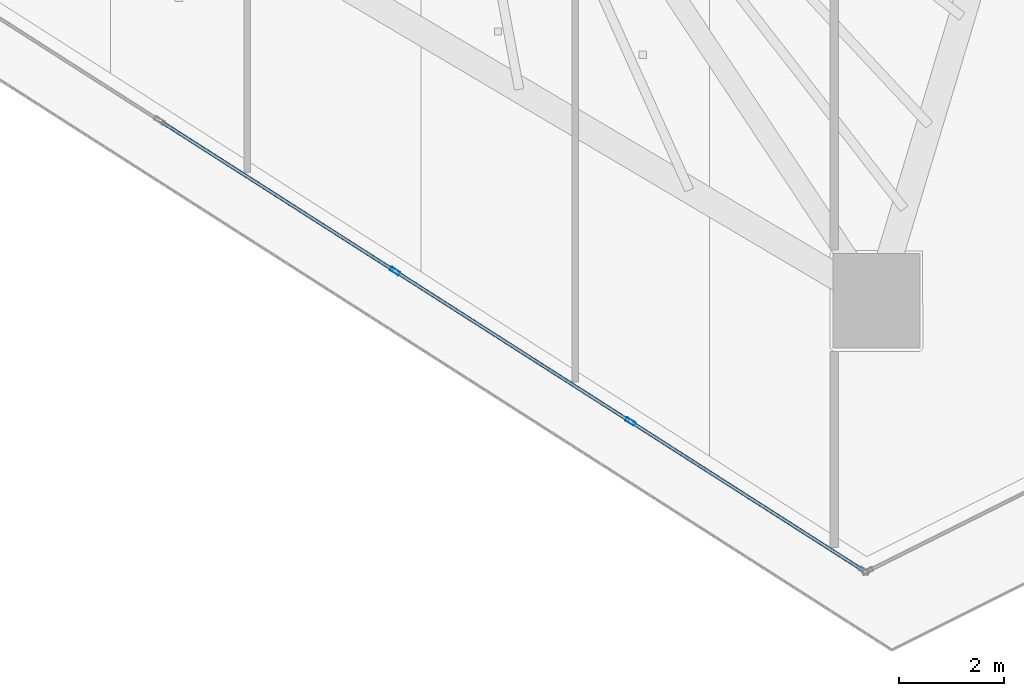
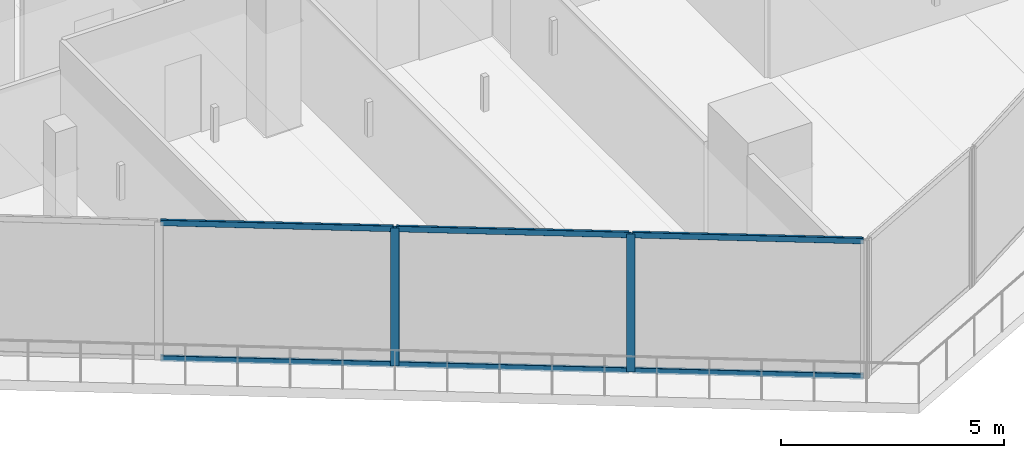
# One storey, part 3 of 36: 8 members, 1 element without a shape of its own.
"""IFC4 building model written with IfcOpenShell, lengths in metres."""

import ifcopenshell
import ifcopenshell.guid

model = None  # the IFC model being written
_history = None  # IfcOwnerHistory: only IFC2X3 demands one
_inside = {}  # id of a spatial element -> (the spatial element, [elements in it])
_under = {}  # id of a project, library or spatial element -> (it, [spatial elements below it])
_declared = {}  # id of a project -> (the project, [libraries it declares])
_typed = {}  # id of a type object -> (the type object, [elements of that type])
_made_of = {}  # id of a material, layer set ... -> (it, [elements and type objects made of it])


def new_model(schema):
    """Start an empty IFC model of exactly this schema.

    Asked for "IFC4X3", IfcOpenShell would pick the latest addendum, in which some entities
    have other attributes; the version numbers below select the first issue.
    IFC2X3 requires an IfcOwnerHistory on every rooted entity: one is made here for all.
    """
    global model, _history
    if schema == "IFC4X3":
        model = ifcopenshell.file(schema_version=(4, 3, 0, 0))
    else:
        model = ifcopenshell.file(schema=schema)
    _inside.clear()
    _under.clear()
    _declared.clear()
    _typed.clear()
    _made_of.clear()
    _history = None
    if model.schema == "IFC2X3":
        org = make("IfcOrganization", Name="unknown")
        user = make(
            "IfcPersonAndOrganization",
            ThePerson=make("IfcPerson", FamilyName="unknown"),
            TheOrganization=org,
        )
        app = make(
            "IfcApplication",
            ApplicationDeveloper=org,
            Version="unknown",
            ApplicationFullName="unknown",
            ApplicationIdentifier="unknown",
        )
        _history = make(
            "IfcOwnerHistory",
            OwningUser=user,
            OwningApplication=app,
            ChangeAction="ADDED",
            CreationDate=0,
        )
    return model


def make(cls, **values):
    """One entity of the class cls with the attributes given. An attribute that is None is left unset."""
    return model.create_entity(
        cls, **{name: value for name, value in values.items() if value is not None}
    )


def rooted(cls, **values):
    """An entity with a GlobalId (a new one), such as an element, a storey or a relation."""
    return make(cls, GlobalId=ifcopenshell.guid.new(), OwnerHistory=_history, **values)


def si_unit(unit_type, name, prefix=None):
    """IfcSIUnit, for example si_unit("LENGTHUNIT", "METRE", prefix="MILLI")."""
    return make("IfcSIUnit", UnitType=unit_type, Prefix=prefix, Name=name)


def assignment(units):
    """IfcUnitAssignment: the units of a project."""
    return None if units is None else make("IfcUnitAssignment", Units=units)


def point(xyz):
    """IfcCartesianPoint."""
    return None if xyz is None else make("IfcCartesianPoint", Coordinates=xyz)


def direction(xyz):
    """IfcDirection."""
    return None if xyz is None else make("IfcDirection", DirectionRatios=xyz)


def frame(location, z_axis=None, x_axis=None):
    """IfcAxis2Placement3D, a coordinate frame: its origin and axes. An axis left out is left unset."""
    return make(
        "IfcAxis2Placement3D",
        Location=point(location),
        Axis=direction(z_axis),
        RefDirection=direction(x_axis),
    )


def frame_2d(location, x_axis=None):
    """IfcAxis2Placement2D, a coordinate frame in the plane: its origin and x axis."""
    return make(
        "IfcAxis2Placement2D", Location=point(location), RefDirection=direction(x_axis)
    )


def origin():
    """The frame at (0, 0, 0) with its axes left unset."""
    return frame((0.0, 0.0, 0.0))


def origin_2d():
    """The frame at (0, 0) in the plane with its x axis left unset."""
    return frame_2d((0.0, 0.0))


def place(relative_to, where):
    """IfcLocalPlacement: puts the frame where relative to a parent placement (None: the world)."""
    return make(
        "IfcLocalPlacement", PlacementRelTo=relative_to, RelativePlacement=where
    )


def context(
    kind, dimensions, precision=None, world=None, true_north=None, identifier=None
):
    """IfcGeometricRepresentationContext, for example the 3D "Model" context."""
    return make(
        "IfcGeometricRepresentationContext",
        ContextIdentifier=identifier,
        ContextType=kind,
        CoordinateSpaceDimension=dimensions,
        Precision=precision,
        WorldCoordinateSystem=world,
        TrueNorth=true_north,
    )


def subcontext(parent, identifier, kind, view, scale=None):
    """IfcGeometricRepresentationSubContext, for example "Body" below "Model"."""
    return make(
        "IfcGeometricRepresentationSubContext",
        ContextIdentifier=identifier,
        ContextType=kind,
        ParentContext=parent,
        TargetScale=scale,
        TargetView=view,
    )


def project(units=None, contexts=None):
    """IfcProject with its units and contexts."""
    return rooted(
        "IfcProject",
        Name="project",
        RepresentationContexts=contexts,
        UnitsInContext=assignment(units),
    )


def spatial(cls, under=None, at=None, **own):
    """A site, building, storey or space (cls), placed at a placement, below another one or the project."""
    s = rooted(cls, ObjectPlacement=at, **own)
    if under is not None:
        _under.setdefault(under.id(), (under, []))[1].append(s)
    return s


def profile(cls, at=None, kind="AREA", **sizes):
    """A parametric profile (cls). Its sizes go by their IFC names, for example OverallWidth=200.0."""
    return make(cls, ProfileType=kind, Position=at, **sizes)


def hollow_rectangle(**sizes):
    """IfcRectangleHollowProfileDef."""
    return profile("IfcRectangleHollowProfileDef", **sizes)


def extrude(swept, where, along, depth):
    """IfcExtrudedAreaSolid: the profile swept, set in the frame where, extruded along a direction by depth."""
    return make(
        "IfcExtrudedAreaSolid",
        SweptArea=swept,
        Position=where,
        ExtrudedDirection=direction(along),
        Depth=depth,
    )


def shape(context_of_items, identifier, shape_type, items):
    """IfcShapeRepresentation: the items that make up one representation, for example the "Body"."""
    return make(
        "IfcShapeRepresentation",
        ContextOfItems=context_of_items,
        RepresentationIdentifier=identifier,
        RepresentationType=shape_type,
        Items=items,
    )


def material(Name=None, Category=None):
    """IfcMaterial."""
    return make("IfcMaterial", Name=Name, Category=Category)


def layer(
    of_material, thickness, ventilated=None, Name=None, Category=None, Priority=None
):
    """IfcMaterialLayer: one layer of a wall or slab, of a material (None: an air gap)."""
    return make(
        "IfcMaterialLayer",
        Material=of_material,
        LayerThickness=thickness,
        IsVentilated=ventilated,
        Name=Name,
        Category=Category,
        Priority=Priority,
    )


def layer_set(layers, Name=None):
    """IfcMaterialLayerSet."""
    return make("IfcMaterialLayerSet", MaterialLayers=layers, LayerSetName=Name)


def material_profile(
    of_material, cross_section, Name=None, Category=None, Priority=None
):
    """IfcMaterialProfile: a cross section and its material."""
    return make(
        "IfcMaterialProfile",
        Name=Name,
        Material=of_material,
        Profile=cross_section,
        Priority=Priority,
        Category=Category,
    )


def profile_set(profiles, Name=None, composite=None):
    """IfcMaterialProfileSet."""
    return make(
        "IfcMaterialProfileSet",
        Name=Name,
        MaterialProfiles=profiles,
        CompositeProfile=composite,
    )


def made_of(thing, what):
    """Note that an element or type object is made of a material, layer set ...; save() writes the relation."""
    if what is not None:
        _made_of.setdefault(what.id(), (what, []))[1].append(thing)
    return thing


def type_object(cls, material=None, **own):
    """A type object (cls), such as IfcWallType, which elements share."""
    return made_of(rooted(cls, **own), material)


def element(
    cls,
    number,
    at=None,
    inside=None,
    cuts=None,
    type_object=None,
    material=None,
    context=None,
    identifier="Body",
    shape_type=None,
    held_by="IfcProductDefinitionShape",
    body=None,
    shapes=None,
    **own,
):
    """One element of the class cls, such as IfcWall. Its Tag is "e" and its number.

    at: its placement. inside: the storey or other place that contains it. cuts: it is an
    opening in that element (IfcRelVoidsElement). A single representation is given by context,
    identifier, shape_type and body (its items); several are given by shapes. held_by: the class
    of the entity that holds the representations. save() writes the other relations.
    """
    e = rooted(cls, Tag="e%d" % number, ObjectPlacement=at, **own)
    if body is not None:
        shapes = [shape(context, identifier, shape_type, body)]
    if shapes is not None:
        e.Representation = make(held_by, Representations=shapes)
    if inside is not None:
        _inside.setdefault(inside.id(), (inside, []))[1].append(e)
    if cuts is not None:
        rooted(
            "IfcRelVoidsElement", RelatingBuildingElement=cuts, RelatedOpeningElement=e
        )
    if type_object is not None:
        _typed.setdefault(type_object.id(), (type_object, []))[1].append(e)
    return made_of(e, material)


def aggregate(whole, parts):
    """IfcRelAggregates: a whole, such as a stair, and the parts it consists of."""
    return rooted("IfcRelAggregates", RelatingObject=whole, RelatedObjects=parts)


def save(model, path):
    """Write the relations noted so far, then the file.

    IfcRelAggregates (storeys below a building ...), IfcRelContainedInSpatialStructure (elements
    in a storey), IfcRelDefinesByType, IfcRelAssociatesMaterial and IfcRelDeclares: one each for
    every whole, place, type object, material and project.
    """
    for whole, parts in _under.values():
        aggregate(whole, parts)
    for where, things in _inside.values():
        rooted(
            "IfcRelContainedInSpatialStructure",
            RelatedElements=things,
            RelatingStructure=where,
        )
    for kind, things in _typed.values():
        rooted("IfcRelDefinesByType", RelatedObjects=things, RelatingType=kind)
    for what, things in _made_of.values():
        rooted("IfcRelAssociatesMaterial", RelatedObjects=things, RelatingMaterial=what)
    for by, libraries in _declared.values():
        rooted("IfcRelDeclares", RelatingContext=by, RelatedDefinitions=libraries)
    model.write(path)


model = new_model("IFC4")

# Units and contexts
model_context = context("Model", 3, precision=1e-05, world=origin(), true_north=direction((0.0, 1.0)))
body_context = subcontext(model_context, "Body", "Model", "MODEL_VIEW")
ifc_project = project(units=[si_unit("LENGTHUNIT", "METRE"), si_unit("AREAUNIT", "SQUARE_METRE"), si_unit("VOLUMEUNIT", "CUBIC_METRE"), si_unit("PLANEANGLEUNIT", "RADIAN"), si_unit("MASSUNIT", "GRAM", prefix="KILO")], contexts=[model_context])

# Site, building, storey
site_placement = place(None, origin())
site = spatial("IfcSite", under=ifc_project, at=site_placement, CompositionType="ELEMENT")
building_placement = place(site_placement, origin())
building = spatial("IfcBuilding", under=site, at=building_placement, Name="Qorvath Tower", CompositionType="ELEMENT")
storey_placement = place(building_placement, frame((0.0, 0.0, 229.35009765625)))
storey = spatial("IfcBuildingStorey", under=building, at=storey_placement, Name="L53", CompositionType="ELEMENT", Elevation=229.35009765625)

# Curtain wall, members
ifc_material_1 = material(Name="Anodised aluminium and triple low-E glass", Category="aluminium")
ifc_layer = layer(ifc_material_1, 0.179931640625)
ifc_layer_set = layer_set([ifc_layer], Name="CW-SYS-5")
curtain_wall_type = type_object("IfcCurtainWallType", Name="CW-SYS-5", PredefinedType="NOTDEFINED", material=ifc_layer_set)
curtain_wall_placement = place(storey_placement, origin())
curtain_wall = element("IfcCurtainWall", 1, at=curtain_wall_placement, inside=storey, type_object=curtain_wall_type, Name="Curtain Wall CW-5 CW-T-L53-4.1", PredefinedType="NOTDEFINED")
ifc_material_2 = material(Name="Anodised aluminium 6063-T6", Category="aluminium")
ifc_material_profile_1 = material_profile(ifc_material_2, hollow_rectangle(XDim=0.074951171875, YDim=0.199951171875, WallThickness=0.00390625, InnerFilletRadius=0.00390625, OuterFilletRadius=0.008056640625, at=origin_2d()), Name="CWM 200x75")
ifc_profile_set_1 = profile_set([ifc_material_profile_1], Name="Anodised aluminium 6063-T6")
member_type_1 = type_object("IfcMemberType", Name="CWM-200", PredefinedType="MULLION", material=ifc_profile_set_1)
member_1_placement = place(storey_placement, frame((-26.007080078125, -21.066162109375, 0.0), z_axis=(0.0, 0.0, 1.0), x_axis=(0.538529366974, 0.84260674155, 0.0)))
member_1 = element("IfcMember", 2, at=member_1_placement, type_object=member_type_1, Name="CW-5 mullion 6", PredefinedType="MULLION", context=body_context, shape_type="SweptSolid", body=[
    extrude(hollow_rectangle(XDim=0.074951171875, YDim=0.199951171875, WallThickness=0.00390625, InnerFilletRadius=0.00390625, OuterFilletRadius=0.008056640625, at=origin_2d()), origin(), (0.0, 0.0, 1.0), 3.77978515625),
])
member_2_placement = place(storey_placement, frame((-21.541015625, -23.920654296875, 0.0), z_axis=(0.0, 0.0, 1.0), x_axis=(0.538529366974, 0.84260674155, 0.0)))
member_2 = element("IfcMember", 3, at=member_2_placement, type_object=member_type_1, Name="CW-5 mullion 7", PredefinedType="MULLION", context=body_context, shape_type="SweptSolid", body=[
    extrude(hollow_rectangle(XDim=0.074951171875, YDim=0.199951171875, WallThickness=0.00390625, InnerFilletRadius=0.00390625, OuterFilletRadius=0.008056640625, at=origin_2d()), origin(), (0.0, 0.0, 1.0), 3.77978515625),
])
ifc_material_3 = material(Name="Anodised aluminium 6063-T6", Category="aluminium")
ifc_material_profile_2 = material_profile(ifc_material_3, hollow_rectangle(XDim=0.06494140625, YDim=0.159912109375, WallThickness=0.00341796875, InnerFilletRadius=0.00341796875, OuterFilletRadius=0.007080078125, at=origin_2d()), Name="CWT 160x65")
ifc_profile_set_2 = profile_set([ifc_material_profile_2], Name="Anodised aluminium 6063-T6")
member_type_2 = type_object("IfcMemberType", Name="CWT-160", PredefinedType="USERDEFINED", material=ifc_profile_set_2)
member_3_placement = place(storey_placement, frame((-30.44140625, -18.232177734375, 0.032470703125), z_axis=(0.842605566515, -0.538531205482, 0.0), x_axis=(0.538531205482, 0.842605566515, 0.0)))
member_3 = element("IfcMember", 4, at=member_3_placement, type_object=member_type_2, Name="CW-5 transom 5.1", ObjectType="TRANSOM", PredefinedType="USERDEFINED", context=body_context, shape_type="SweptSolid", body=[
    extrude(hollow_rectangle(XDim=0.06494140625, YDim=0.159912109375, WallThickness=0.00341796875, InnerFilletRadius=0.00341796875, OuterFilletRadius=0.007080078125, at=origin_2d()), origin(), (0.0, 0.0, 1.0), 5.225341796875),
])
member_4_placement = place(storey_placement, frame((-30.44140625, -18.232177734375, 3.747314453125), z_axis=(0.842605566515, -0.538531205482, 0.0), x_axis=(0.538531205482, 0.842605566515, 0.0)))
member_4 = element("IfcMember", 5, at=member_4_placement, type_object=member_type_2, Name="CW-5 transom 5.2", ObjectType="TRANSOM", PredefinedType="USERDEFINED", context=body_context, shape_type="SweptSolid", body=[
    extrude(hollow_rectangle(XDim=0.06494140625, YDim=0.159912109375, WallThickness=0.00341796875, InnerFilletRadius=0.00341796875, OuterFilletRadius=0.007080078125, at=origin_2d()), origin(), (0.0, 0.0, 1.0), 5.225341796875),
])
member_5_placement = place(storey_placement, frame((-25.975341796875, -21.08642578125, 0.032470703125), z_axis=(0.842605566515, -0.538531205482, 0.0), x_axis=(0.538531205482, 0.842605566515, 0.0)))
member_5 = element("IfcMember", 6, at=member_5_placement, type_object=member_type_2, Name="CW-5 transom 6.1", ObjectType="TRANSOM", PredefinedType="USERDEFINED", context=body_context, shape_type="SweptSolid", body=[
    extrude(hollow_rectangle(XDim=0.06494140625, YDim=0.159912109375, WallThickness=0.00341796875, InnerFilletRadius=0.00341796875, OuterFilletRadius=0.007080078125, at=origin_2d()), origin(), (0.0, 0.0, 1.0), 5.225341796875),
])
member_6_placement = place(storey_placement, frame((-25.975341796875, -21.08642578125, 3.747314453125), z_axis=(0.842605566515, -0.538531205482, 0.0), x_axis=(0.538531205482, 0.842605566515, 0.0)))
member_6 = element("IfcMember", 7, at=member_6_placement, type_object=member_type_2, Name="CW-5 transom 6.2", ObjectType="TRANSOM", PredefinedType="USERDEFINED", context=body_context, shape_type="SweptSolid", body=[
    extrude(hollow_rectangle(XDim=0.06494140625, YDim=0.159912109375, WallThickness=0.00341796875, InnerFilletRadius=0.00341796875, OuterFilletRadius=0.007080078125, at=origin_2d()), origin(), (0.0, 0.0, 1.0), 5.225341796875),
])
member_7_placement = place(storey_placement, frame((-21.50927734375, -23.940673828125, 0.032470703125), z_axis=(0.842582365936, -0.538567504232, 0.0), x_axis=(0.538567504232, 0.842582365936, 0.0)))
member_7 = element("IfcMember", 8, at=member_7_placement, type_object=member_type_2, Name="CW-5 transom 7.1", ObjectType="TRANSOM", PredefinedType="USERDEFINED", context=body_context, shape_type="SweptSolid", body=[
    extrude(hollow_rectangle(XDim=0.06494140625, YDim=0.159912109375, WallThickness=0.00341796875, InnerFilletRadius=0.00341796875, OuterFilletRadius=0.007080078125, at=origin_2d()), origin(), (0.0, 0.0, 1.0), 5.187744140625),
])
member_8_placement = place(storey_placement, frame((-21.50927734375, -23.940673828125, 3.747314453125), z_axis=(0.842582365936, -0.538567504232, 0.0), x_axis=(0.538567504232, 0.842582365936, 0.0)))
member_8 = element("IfcMember", 9, at=member_8_placement, type_object=member_type_2, Name="CW-5 transom 7.2", ObjectType="TRANSOM", PredefinedType="USERDEFINED", context=body_context, shape_type="SweptSolid", body=[
    extrude(hollow_rectangle(XDim=0.06494140625, YDim=0.159912109375, WallThickness=0.00341796875, InnerFilletRadius=0.00341796875, OuterFilletRadius=0.007080078125, at=origin_2d()), origin(), (0.0, 0.0, 1.0), 5.187744140625),
])
aggregate(curtain_wall, [member_1, member_2, member_3, member_4, member_5, member_6, member_7, member_8])

save(model, "model.ifc")
